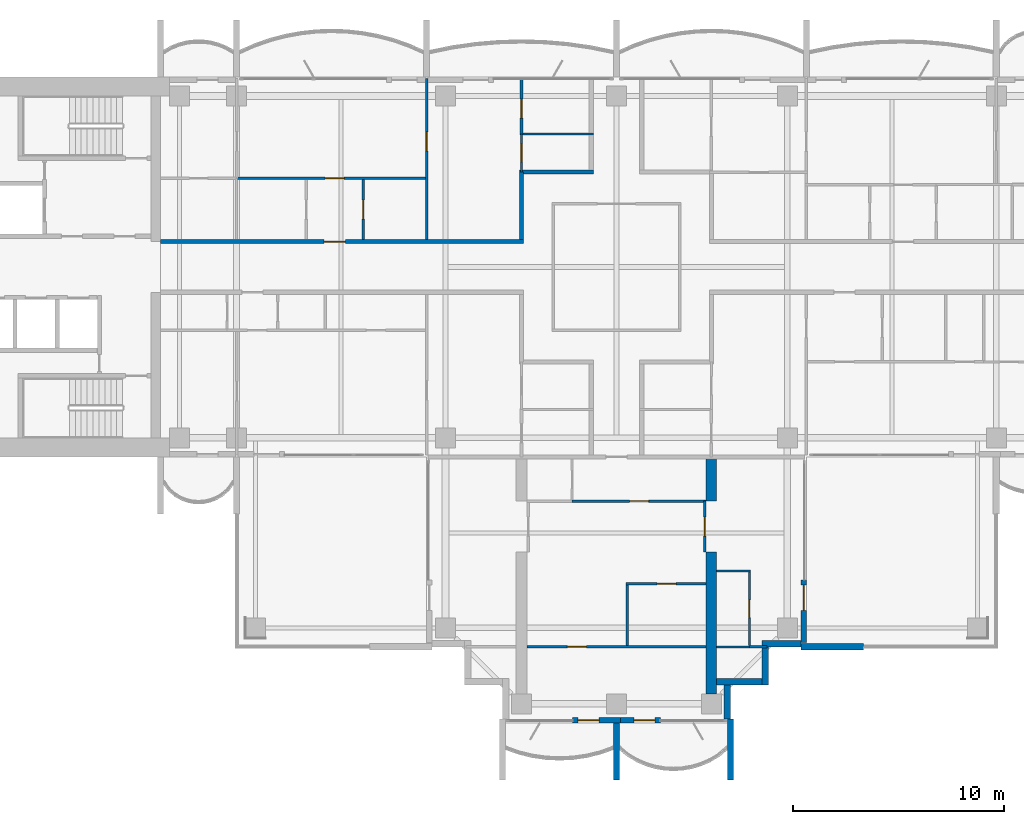
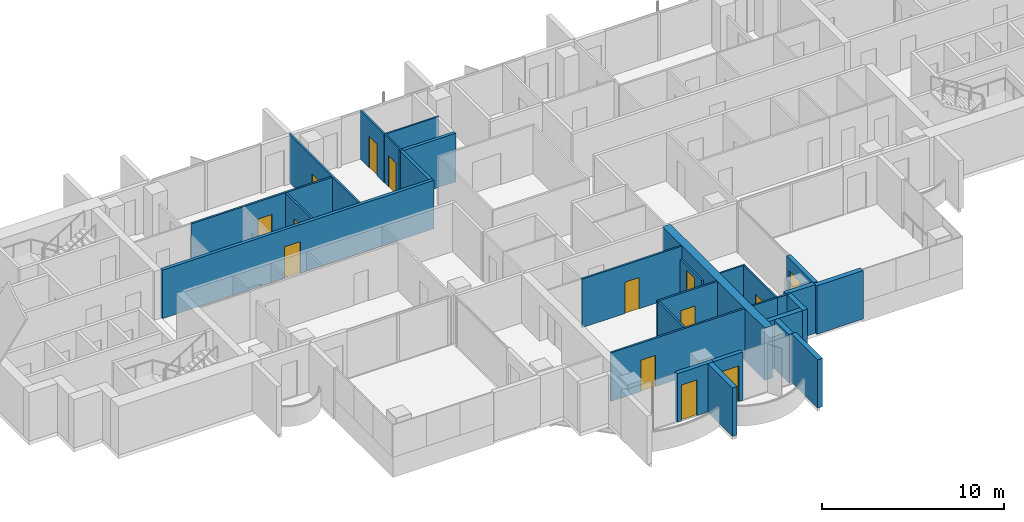
# One storey, part 10 of 17: 29 walls, 14 doors, 14 openings.
"""IFC4 building model written with IfcOpenShell, lengths in metres."""

from ifc_helpers import new_model, si_unit, direction, frame, frame_2d, origin, place, context, subcontext, project, spatial, polyline, rectangle, outline, extrude, material, layer, layer_set, material_profile, profile_set, type_object, element, fill, save


model = new_model("IFC4")

# Units and contexts
model_context = context("Model", 3, precision=1e-05, world=origin(), true_north=direction((0.0, 1.0)))
body_context = subcontext(model_context, "Body", "Model", "MODEL_VIEW")
ifc_project = project(units=[si_unit("LENGTHUNIT", "METRE"), si_unit("AREAUNIT", "SQUARE_METRE"), si_unit("VOLUMEUNIT", "CUBIC_METRE"), si_unit("PLANEANGLEUNIT", "RADIAN"), si_unit("MASSUNIT", "GRAM", prefix="KILO")], contexts=[model_context])

# Site, building, storey
site_placement = place(None, origin())
site = spatial("IfcSite", under=ifc_project, at=site_placement, CompositionType="ELEMENT")
building_placement = place(site_placement, origin())
building = spatial("IfcBuilding", under=site, at=building_placement, Name="Perihelion Cross Residences", CompositionType="ELEMENT")
storey_placement = place(building_placement, frame((0.0, 0.0, 180.60009765625)))
storey = spatial("IfcBuildingStorey", under=building, at=storey_placement, Name="L44", CompositionType="ELEMENT", Elevation=180.60009765625)

# Wall, opening, door
ifc_material_1 = material(Name="Plasterboard partition")
ifc_layer_1 = layer(ifc_material_1, 0.199951171875)
ifc_layer_set_1 = layer_set([ifc_layer_1], Name="Apartment separation wall 200")
wall_type_1 = type_object("IfcWallType", Name="Apartment separation wall 200", PredefinedType="PARTITIONING", material=ifc_layer_set_1)
wall_1_placement = place(storey_placement, frame((-21.60009765625, 1.199951171875, 0.0), z_axis=(0.0, 0.0, 1.0), x_axis=(1.0, 0.0, 0.0)))
wall_1 = element("IfcWall", 1, at=wall_1_placement, inside=storey, type_object=wall_type_1, Name="Partition L44 W013", PredefinedType="PARTITIONING", context=body_context, shape_type="SweptSolid", body=[
    extrude(rectangle(XDim=17.2001953125, YDim=0.199951171875, at=frame_2d((8.60009765625, 0.0))), origin(), (0.0, 0.0, 1.0), 3.25),
])
opening_1_placement = place(wall_1_placement, frame((7.75, 0.0, 0.0)))
opening_1 = element("IfcOpeningElement", 2, at=opening_1_placement, cuts=wall_1, Name="Opening L44.A42", PredefinedType="OPENING", context=body_context, shape_type="SweptSolid", body=[
    extrude(rectangle(XDim=1.0, YDim=2.10009765625, at=frame_2d((0.5, 1.050048828125))), frame((0.0, 0.10986328125, 0.0), z_axis=(0.0, -1.0, 0.0), x_axis=(1.0, 0.0, 0.0)), (0.0, 0.0, 1.0), 0.219970703125),
])
ifc_material_2 = material(Name="Timber door leaf", Category="wood")
door_type_1 = type_object("IfcDoorType", Name="Flat entrance door 1000 x 2100", OperationType="SINGLE_SWING_LEFT", PredefinedType="DOOR", material=ifc_material_2)
door_1_placement = place(opening_1_placement, origin())
door_1 = element("IfcDoor", 3, at=door_1_placement, inside=storey, type_object=door_type_1, Name="Door L44.A42", OperationType="SINGLE_SWING_RIGHT", OverallHeight=2.10009765625, OverallWidth=1.0, PredefinedType="DOOR", context=body_context, shape_type="SweptSolid", body=[
    extrude(rectangle(XDim=1.0, YDim=2.10009765625, at=frame_2d((0.5, 1.050048828125))), frame((0.0, 0.02490234375, 0.0), z_axis=(0.0, -1.0, 0.0), x_axis=(1.0, 0.0, 0.0)), (0.0, 0.0, 1.0), 0.050048828125),
])
fill(opening_1, door_1)

# Walls
wall_2_placement = place(storey_placement, frame((-4.5, 1.300048828125, 0.0), z_axis=(0.0, 0.0, 1.0), x_axis=(0.0, 1.0, 0.0)))
element("IfcWall", 4, at=wall_2_placement, inside=storey, type_object=wall_type_1, Name="Partition L44 W014", PredefinedType="PARTITIONING", context=body_context, shape_type="SweptSolid", body=[
    extrude(rectangle(XDim=3.199951171875, YDim=0.199951171875, at=frame_2d((1.60009765625, 0.0))), origin(), (0.0, 0.0, 1.0), 3.25),
])
wall_3_placement = place(storey_placement, frame((-4.60009765625, 4.5, 0.0), z_axis=(0.0, 0.0, 1.0), x_axis=(1.0, 0.0, 0.0)))
element("IfcWall", 5, at=wall_3_placement, inside=storey, type_object=wall_type_1, Name="Partition L44 W015", PredefinedType="PARTITIONING", context=body_context, shape_type="SweptSolid", body=[
    extrude(rectangle(XDim=3.5, YDim=0.199951171875, at=frame_2d((1.75, 0.0))), origin(), (0.0, 0.0, 1.0), 3.25),
])

# Wall, opening, door
ifc_material_3 = material(Name="Concrete C30/37, bronze-clad", Category="concrete")
ifc_layer_2 = layer(ifc_material_3, 0.25)
ifc_layer_set_2 = layer_set([ifc_layer_2], Name="Bronze-clad pier wall 250")
wall_type_2 = type_object("IfcWallType", Name="Bronze-clad pier wall 250", PredefinedType="SOLIDWALL", material=ifc_layer_set_2)
wall_4_placement = place(storey_placement, frame((-2.074951171875, -21.47509765625, 0.0), z_axis=(0.0, 0.0, 1.0), x_axis=(1.0, 0.0, 0.0)))
wall_4 = element("IfcWall", 6, at=wall_4_placement, inside=storey, type_object=wall_type_2, Name="Wall FW1 L44 south tip south bay 1 pier", PredefinedType="SOLIDWALL", context=body_context, shape_type="SweptSolid", body=[
    extrude(rectangle(XDim=2.27490234375, YDim=0.25, at=frame_2d((1.137451171875, 0.0))), origin(), (0.0, 0.0, 1.0), 3.25),
])
opening_2_placement = place(wall_4_placement, frame((0.25, 0.0, 0.0)))
opening_2 = element("IfcOpeningElement", 7, at=opening_2_placement, cuts=wall_4, Name="Opening L44.E10", PredefinedType="OPENING", context=body_context, shape_type="SweptSolid", body=[
    extrude(rectangle(XDim=1.0, YDim=2.39990234375, at=frame_2d((0.5, 1.199951171875))), frame((0.0, 0.135009765625, 0.0), z_axis=(0.0, -1.0, 0.0), x_axis=(1.0, 0.0, 0.0)), (0.0, 0.0, 1.0), 0.27001953125),
])
ifc_material_4 = material(Name="Bronze anodised aluminium, glazed", Category="aluminium")
door_type_2 = type_object("IfcDoorType", Name="Balcony door 1000 x 2400", OperationType="NOTDEFINED", PredefinedType="DOOR", material=ifc_material_4)
door_2_placement = place(opening_2_placement, origin())
door_2 = element("IfcDoor", 8, at=door_2_placement, inside=storey, type_object=door_type_2, Name="Door L44.E10 south tip south bay 1", OperationType="SINGLE_SWING_RIGHT", OverallHeight=2.39990234375, OverallWidth=1.0, PredefinedType="DOOR", context=body_context, shape_type="SweptSolid", body=[
    extrude(rectangle(XDim=1.0, YDim=2.39990234375, at=frame_2d((0.5, 1.199951171875))), frame((0.0, 0.02490234375, 0.0), z_axis=(0.0, -1.0, 0.0), x_axis=(1.0, 0.0, 0.0)), (0.0, 0.0, 1.0), 0.050048828125),
])
fill(opening_2, door_2)

wall_5_placement = place(storey_placement, frame((0.199951171875, -21.47509765625, 0.0), z_axis=(0.0, 0.0, 1.0), x_axis=(1.0, 0.0, 0.0)))
wall_5 = element("IfcWall", 9, at=wall_5_placement, inside=storey, type_object=wall_type_2, Name="Wall FW1 L44 south tip south bay 2 pier", PredefinedType="SOLIDWALL", context=body_context, shape_type="SweptSolid", body=[
    extrude(rectangle(XDim=1.875, YDim=0.25, at=frame_2d((0.9375, 0.0))), origin(), (0.0, 0.0, 1.0), 3.25),
])
opening_3_placement = place(wall_5_placement, frame((0.625, 0.0, 0.0)))
opening_3 = element("IfcOpeningElement", 10, at=opening_3_placement, cuts=wall_5, Name="Opening L44.E11", PredefinedType="OPENING", context=body_context, shape_type="SweptSolid", body=[
    extrude(rectangle(XDim=1.0, YDim=2.39990234375, at=frame_2d((0.5, 1.199951171875))), frame((0.0, 0.135009765625, 0.0), z_axis=(0.0, -1.0, 0.0), x_axis=(1.0, 0.0, 0.0)), (0.0, 0.0, 1.0), 0.27001953125),
])
door_3_placement = place(opening_3_placement, origin())
door_3 = element("IfcDoor", 11, at=door_3_placement, inside=storey, type_object=door_type_2, Name="Door L44.E11 south tip south bay 2", OperationType="SINGLE_SWING_LEFT", OverallHeight=2.39990234375, OverallWidth=1.0, PredefinedType="DOOR", context=body_context, shape_type="SweptSolid", body=[
    extrude(rectangle(XDim=1.0, YDim=2.39990234375, at=frame_2d((0.5, 1.199951171875))), frame((0.0, 0.02490234375, 0.0), z_axis=(0.0, -1.0, 0.0), x_axis=(1.0, 0.0, 0.0)), (0.0, 0.0, 1.0), 0.050048828125),
])
fill(opening_3, door_3)

wall_6_placement = place(storey_placement, frame((8.875, -17.800048828125, 0.0), z_axis=(0.0, 0.0, 1.0), x_axis=(0.0, 1.0, 0.0)))
wall_6 = element("IfcWall", 12, at=wall_6_placement, inside=storey, type_object=wall_type_2, Name="Wall FW1 L44 south side east bay 1 pier", PredefinedType="SOLIDWALL", context=body_context, shape_type="SweptSolid", body=[
    extrude(rectangle(XDim=2.97509765625, YDim=0.25, at=frame_2d((1.487548828125, 0.0))), origin(), (0.0, 0.0, 1.0), 3.25),
])
opening_4_placement = place(wall_6_placement, frame((1.52490234375, 0.0, 0.0)))
opening_4 = element("IfcOpeningElement", 13, at=opening_4_placement, cuts=wall_6, Name="Opening L44.E12", PredefinedType="OPENING", context=body_context, shape_type="SweptSolid", body=[
    extrude(rectangle(XDim=1.199951171875, YDim=2.39990234375, at=frame_2d((0.60009765625, 1.199951171875))), frame((0.0, 0.135009765625, 0.0), z_axis=(0.0, -1.0, 0.0), x_axis=(1.0, 0.0, 0.0)), (0.0, 0.0, 1.0), 0.27001953125),
])
ifc_material_5 = material(Name="Bronze anodised aluminium, glazed", Category="aluminium")
door_type_3 = type_object("IfcDoorType", Name="Balcony door 1200 x 2400", OperationType="NOTDEFINED", PredefinedType="DOOR", material=ifc_material_5)
door_4_placement = place(opening_4_placement, origin())
door_4 = element("IfcDoor", 14, at=door_4_placement, inside=storey, type_object=door_type_3, Name="Door L44.E12 south side east bay 1", OperationType="SINGLE_SWING_RIGHT", OverallHeight=2.39990234375, OverallWidth=1.199951171875, PredefinedType="DOOR", context=body_context, shape_type="SweptSolid", body=[
    extrude(rectangle(XDim=1.199951171875, YDim=2.39990234375, at=frame_2d((0.60009765625, 1.199951171875))), frame((0.0, 0.02490234375, 0.0), z_axis=(0.0, -1.0, 0.0), x_axis=(1.0, 0.0, 0.0)), (0.0, 0.0, 1.0), 0.050048828125),
])
fill(opening_4, door_4)

# Walls
ifc_material_6 = material(Name="Concrete C30/37, bronze-clad", Category="concrete")
ifc_layer_3 = layer(ifc_material_6, 0.300048828125)
ifc_layer_set_3 = layer_set([ifc_layer_3], Name="Bronze-clad serration wall 300")
wall_type_3 = type_object("IfcWallType", Name="Bronze-clad serration wall 300", PredefinedType="SOLIDWALL", material=ifc_layer_set_3)
wall_7_placement = place(storey_placement, frame((5.25, -21.419921875, 0.0), z_axis=(0.0, 0.0, 1.0), x_axis=(0.0, 1.0, 0.0)))
element("IfcWall", 15, at=wall_7_placement, inside=storey, type_object=wall_type_3, Name="Wall SR1 L44 south corner south-east 1", PredefinedType="SOLIDWALL", context=body_context, shape_type="SweptSolid", body=[
    extrude(rectangle(XDim=1.619873046875, YDim=0.300048828125, at=frame_2d((0.81005859375, 0.0))), origin(), (0.0, 0.0, 1.0), 3.25),
])
wall_8_placement = place(storey_placement, frame((4.75, -19.64990234375, 0.0), z_axis=(0.0, 0.0, 1.0), x_axis=(1.0, 0.0, 0.0)))
element("IfcWall", 16, at=wall_8_placement, inside=storey, type_object=wall_type_3, Name="Wall SR1 L44 south corner south-east 2", PredefinedType="SOLIDWALL", context=body_context, shape_type="SweptSolid", body=[
    extrude(rectangle(XDim=2.14990234375, YDim=0.300048828125, at=frame_2d((1.074951171875, 0.0))), origin(), (0.0, 0.0, 1.0), 3.25),
])
wall_9_placement = place(storey_placement, frame((7.050048828125, -19.800048828125, 0.0), z_axis=(0.0, 0.0, 1.0), x_axis=(0.0, 1.0, 0.0)))
element("IfcWall", 17, at=wall_9_placement, inside=storey, type_object=wall_type_3, Name="Wall SR1 L44 south corner south-east 3", PredefinedType="SOLIDWALL", context=body_context, shape_type="SweptSolid", body=[
    extrude(rectangle(XDim=1.800048828125, YDim=0.300048828125, at=frame_2d((0.89990234375, 0.0))), origin(), (0.0, 0.0, 1.0), 3.25),
])
wall_10_placement = place(storey_placement, frame((6.89990234375, -17.85009765625, 0.0), z_axis=(0.0, 0.0, 1.0), x_axis=(1.0, 0.0, 0.0)))
element("IfcWall", 18, at=wall_10_placement, inside=storey, type_object=wall_type_3, Name="Wall SR1 L44 south corner south-east 4", PredefinedType="SOLIDWALL", context=body_context, shape_type="SweptSolid", body=[
    extrude(rectangle(XDim=1.85009765625, YDim=0.300048828125, at=frame_2d((0.925048828125, 0.0))), origin(), (0.0, 0.0, 1.0), 3.25),
])

# Wall, opening, door
ifc_material_7 = material(Name="Plasterboard partition")
ifc_layer_4 = layer(ifc_material_7, 0.1201171875)
ifc_layer_set_4 = layer_set([ifc_layer_4], Name="Infill panel 120")
wall_type_4 = type_object("IfcWallType", Name="Infill panel 120", PredefinedType="PARTITIONING", material=ifc_layer_set_4)
wall_11_placement = place(storey_placement, frame((4.18994140625, -11.10009765625, 0.0), z_axis=(0.0, 0.0, 1.0), x_axis=(0.0, -1.0, 0.0)))
wall_11 = element("IfcWall", 19, at=wall_11_placement, inside=storey, type_object=wall_type_4, Name="Partition L44 WI01", PredefinedType="PARTITIONING", context=body_context, shape_type="SweptSolid", body=[
    extrude(rectangle(XDim=2.39990234375, YDim=0.1201171875, at=frame_2d((1.199951171875, 0.0))), origin(), (0.0, 0.0, 1.0), 2.39990234375),
])
opening_5_placement = place(wall_11_placement, frame((0.75, 0.0, 0.0)))
opening_5 = element("IfcOpeningElement", 20, at=opening_5_placement, cuts=wall_11, Name="Opening L44.A44", PredefinedType="OPENING", context=body_context, shape_type="SweptSolid", body=[
    extrude(rectangle(XDim=0.89990234375, YDim=2.10009765625, at=frame_2d((0.449951171875, 1.050048828125))), frame((0.0, 0.070068359375, 0.0), z_axis=(0.0, -1.0, 0.0), x_axis=(1.0, 0.0, 0.0)), (0.0, 0.0, 1.0), 0.14013671875),
])
ifc_material_8 = material(Name="Timber door leaf", Category="wood")
door_type_4 = type_object("IfcDoorType", Name="Interior room door 900 x 2100", OperationType="SINGLE_SWING_LEFT", PredefinedType="DOOR", material=ifc_material_8)
door_5_placement = place(opening_5_placement, origin())
door_5 = element("IfcDoor", 21, at=door_5_placement, inside=storey, type_object=door_type_4, Name="Door L44.A44", OperationType="SINGLE_SWING_LEFT", OverallHeight=2.10009765625, OverallWidth=0.89990234375, PredefinedType="DOOR", context=body_context, shape_type="SweptSolid", body=[
    extrude(rectangle(XDim=0.89990234375, YDim=2.10009765625, at=frame_2d((0.449951171875, 1.050048828125))), frame((0.0, 0.02490234375, 0.0), z_axis=(0.0, -1.0, 0.0), x_axis=(1.0, 0.0, 0.0)), (0.0, 0.0, 1.0), 0.050048828125),
])
fill(opening_5, door_5)

ifc_material_9 = material(Name="Plasterboard partition")
ifc_layer_5 = layer(ifc_material_9, 0.1201171875)
ifc_layer_set_5 = layer_set([ifc_layer_5], Name="Partition wall 120")
wall_type_5 = type_object("IfcWallType", Name="Partition wall 120", PredefinedType="PARTITIONING", material=ifc_layer_set_5)
wall_12_placement = place(storey_placement, frame((-12.0, 1.300048828125, 0.0), z_axis=(0.0, 0.0, 1.0), x_axis=(0.0, 1.0, 0.0)))
wall_12 = element("IfcWall", 22, at=wall_12_placement, inside=storey, type_object=wall_type_5, Name="Partition L44 W043", PredefinedType="PARTITIONING", context=body_context, shape_type="SweptSolid", body=[
    extrude(rectangle(XDim=2.83984375, YDim=0.1201171875, at=frame_2d((1.419921875, 0.0))), origin(), (0.0, 0.0, 1.0), 3.25),
])
opening_6_placement = place(wall_12_placement, frame((0.969970703125, 0.0, 0.0)))
opening_6 = element("IfcOpeningElement", 23, at=opening_6_placement, cuts=wall_12, Name="Opening L44.A20", PredefinedType="OPENING", context=body_context, shape_type="SweptSolid", body=[
    extrude(rectangle(XDim=0.89990234375, YDim=2.10009765625, at=frame_2d((0.449951171875, 1.050048828125))), frame((0.0, 0.070068359375, 0.0), z_axis=(0.0, -1.0, 0.0), x_axis=(1.0, 0.0, 0.0)), (0.0, 0.0, 1.0), 0.14013671875),
])
door_6_placement = place(opening_6_placement, origin())
door_6 = element("IfcDoor", 24, at=door_6_placement, inside=storey, type_object=door_type_4, Name="Door L44.A20", OperationType="SINGLE_SWING_LEFT", OverallHeight=2.10009765625, OverallWidth=0.89990234375, PredefinedType="DOOR", context=body_context, shape_type="SweptSolid", body=[
    extrude(rectangle(XDim=0.89990234375, YDim=2.10009765625, at=frame_2d((0.449951171875, 1.050048828125))), frame((0.0, 0.02490234375, 0.0), z_axis=(0.0, -1.0, 0.0), x_axis=(1.0, 0.0, 0.0)), (0.0, 0.0, 1.0), 0.050048828125),
])
fill(opening_6, door_6)

wall_13_placement = place(storey_placement, frame((-18.0, 4.199951171875, 0.0), z_axis=(0.0, 0.0, 1.0), x_axis=(1.0, 0.0, 0.0)))
wall_13 = element("IfcWall", 25, at=wall_13_placement, inside=storey, type_object=wall_type_5, Name="Partition L44 W044", PredefinedType="PARTITIONING", context=body_context, shape_type="SweptSolid", body=[
    extrude(rectangle(XDim=9.06005859375, YDim=0.1201171875, at=frame_2d((4.530029296875, 0.0))), origin(), (0.0, 0.0, 1.0), 3.25),
])
opening_7_placement = place(wall_13_placement, frame((4.199951171875, 0.0, 0.0)))
opening_7 = element("IfcOpeningElement", 26, at=opening_7_placement, cuts=wall_13, Name="Opening L44.A21", PredefinedType="OPENING", context=body_context, shape_type="SweptSolid", body=[
    extrude(rectangle(XDim=0.89990234375, YDim=2.10009765625, at=frame_2d((0.449951171875, 1.050048828125))), frame((0.0, 0.070068359375, 0.0), z_axis=(0.0, -1.0, 0.0), x_axis=(1.0, 0.0, 0.0)), (0.0, 0.0, 1.0), 0.14013671875),
])
door_7_placement = place(opening_7_placement, origin())
door_7 = element("IfcDoor", 27, at=door_7_placement, inside=storey, type_object=door_type_4, Name="Door L44.A21", OperationType="SINGLE_SWING_RIGHT", OverallHeight=2.10009765625, OverallWidth=0.89990234375, PredefinedType="DOOR", context=body_context, shape_type="SweptSolid", body=[
    extrude(rectangle(XDim=0.89990234375, YDim=2.10009765625, at=frame_2d((0.449951171875, 1.050048828125))), frame((0.0, 0.02490234375, 0.0), z_axis=(0.0, -1.0, 0.0), x_axis=(1.0, 0.0, 0.0)), (0.0, 0.0, 1.0), 0.050048828125),
])
fill(opening_7, door_7)

wall_14_placement = place(storey_placement, frame((-9.0, 8.919921875, 0.0), z_axis=(0.0, 0.0, 1.0), x_axis=(0.0, -1.0, 0.0)))
wall_14 = element("IfcWall", 28, at=wall_14_placement, inside=storey, type_object=wall_type_5, Name="Partition L44 W045", PredefinedType="PARTITIONING", context=body_context, shape_type="SweptSolid", body=[
    extrude(rectangle(XDim=7.619873046875, YDim=0.1201171875, at=frame_2d((3.81005859375, 0.0))), origin(), (0.0, 0.0, 1.0), 3.25),
])
opening_8_placement = place(wall_14_placement, frame((2.52001953125, 0.0, 0.0)))
opening_8 = element("IfcOpeningElement", 29, at=opening_8_placement, cuts=wall_14, Name="Opening L44.A22", PredefinedType="OPENING", context=body_context, shape_type="SweptSolid", body=[
    extrude(rectangle(XDim=0.89990234375, YDim=2.10009765625, at=frame_2d((0.449951171875, 1.050048828125))), frame((0.0, 0.070068359375, 0.0), z_axis=(0.0, -1.0, 0.0), x_axis=(1.0, 0.0, 0.0)), (0.0, 0.0, 1.0), 0.14013671875),
])
door_8_placement = place(opening_8_placement, origin())
door_8 = element("IfcDoor", 30, at=door_8_placement, inside=storey, type_object=door_type_4, Name="Door L44.A22", OperationType="SINGLE_SWING_RIGHT", OverallHeight=2.10009765625, OverallWidth=0.89990234375, PredefinedType="DOOR", context=body_context, shape_type="SweptSolid", body=[
    extrude(rectangle(XDim=0.89990234375, YDim=2.10009765625, at=frame_2d((0.449951171875, 1.050048828125))), frame((0.0, 0.02490234375, 0.0), z_axis=(0.0, -1.0, 0.0), x_axis=(1.0, 0.0, 0.0)), (0.0, 0.0, 1.0), 0.050048828125),
])
fill(opening_8, door_8)

wall_15_placement = place(storey_placement, frame((-4.5, 8.919921875, 0.0), z_axis=(0.0, 0.0, 1.0), x_axis=(0.0, -1.0, 0.0)))
wall_15 = element("IfcWall", 31, at=wall_15_placement, inside=storey, type_object=wall_type_5, Name="Partition L44 W051", PredefinedType="PARTITIONING", context=body_context, shape_type="SweptSolid", body=[
    extrude(rectangle(XDim=2.619873046875, YDim=0.1201171875, at=frame_2d((1.31005859375, 0.0))), origin(), (0.0, 0.0, 1.0), 3.25),
])
opening_9_placement = place(wall_15_placement, frame((0.969970703125, 0.0, 0.0)))
opening_9 = element("IfcOpeningElement", 32, at=opening_9_placement, cuts=wall_15, Name="Opening L44.A23", PredefinedType="OPENING", context=body_context, shape_type="SweptSolid", body=[
    extrude(rectangle(XDim=0.89990234375, YDim=2.10009765625, at=frame_2d((0.449951171875, 1.050048828125))), frame((0.0, 0.070068359375, 0.0), z_axis=(0.0, -1.0, 0.0), x_axis=(1.0, 0.0, 0.0)), (0.0, 0.0, 1.0), 0.14013671875),
])
door_9_placement = place(opening_9_placement, origin())
door_9 = element("IfcDoor", 33, at=door_9_placement, inside=storey, type_object=door_type_4, Name="Door L44.A23", OperationType="SINGLE_SWING_LEFT", OverallHeight=2.10009765625, OverallWidth=0.89990234375, PredefinedType="DOOR", context=body_context, shape_type="SweptSolid", body=[
    extrude(rectangle(XDim=0.89990234375, YDim=2.10009765625, at=frame_2d((0.449951171875, 1.050048828125))), frame((0.0, 0.02490234375, 0.0), z_axis=(0.0, -1.0, 0.0), x_axis=(1.0, 0.0, 0.0)), (0.0, 0.0, 1.0), 0.050048828125),
])
fill(opening_9, door_9)

wall_16_placement = place(storey_placement, frame((4.25, -11.10009765625, 0.0), z_axis=(0.0, 0.0, 1.0), x_axis=(-1.0, 0.0, 0.0)))
wall_16 = element("IfcWall", 34, at=wall_16_placement, inside=storey, type_object=wall_type_5, Name="Partition L44 W064", PredefinedType="PARTITIONING", context=body_context, shape_type="SweptSolid", body=[
    extrude(rectangle(XDim=6.35009765625, YDim=0.1201171875, at=frame_2d((3.175048828125, 0.0))), origin(), (0.0, 0.0, 1.0), 3.25),
])
opening_10_placement = place(wall_16_placement, frame((2.72509765625, 0.0, 0.0)))
opening_10 = element("IfcOpeningElement", 35, at=opening_10_placement, cuts=wall_16, Name="Opening L44.A36", PredefinedType="OPENING", context=body_context, shape_type="SweptSolid", body=[
    extrude(rectangle(XDim=0.89990234375, YDim=2.10009765625, at=frame_2d((0.449951171875, 1.050048828125))), frame((0.0, 0.070068359375, 0.0), z_axis=(0.0, -1.0, 0.0), x_axis=(1.0, 0.0, 0.0)), (0.0, 0.0, 1.0), 0.14013671875),
])
door_10_placement = place(opening_10_placement, origin())
door_10 = element("IfcDoor", 36, at=door_10_placement, inside=storey, type_object=door_type_4, Name="Door L44.A36", OperationType="SINGLE_SWING_LEFT", OverallHeight=2.10009765625, OverallWidth=0.89990234375, PredefinedType="DOOR", context=body_context, shape_type="SweptSolid", body=[
    extrude(rectangle(XDim=0.89990234375, YDim=2.10009765625, at=frame_2d((0.449951171875, 1.050048828125))), frame((0.0, 0.02490234375, 0.0), z_axis=(0.0, -1.0, 0.0), x_axis=(1.0, 0.0, 0.0)), (0.0, 0.0, 1.0), 0.050048828125),
])
fill(opening_10, door_10)

wall_17_placement = place(storey_placement, frame((4.25, -15.0, 0.0), z_axis=(0.0, 0.0, 1.0), x_axis=(-1.0, 0.0, 0.0)))
wall_17 = element("IfcWall", 37, at=wall_17_placement, inside=storey, type_object=wall_type_5, Name="Partition L44 W066", PredefinedType="PARTITIONING", context=body_context, shape_type="SweptSolid", body=[
    extrude(rectangle(XDim=3.81005859375, YDim=0.1201171875, at=frame_2d((1.905029296875, 0.0))), origin(), (0.0, 0.0, 1.0), 3.25),
])
opening_11_placement = place(wall_17_placement, frame((1.425048828125, 0.0, 0.0)))
opening_11 = element("IfcOpeningElement", 38, at=opening_11_placement, cuts=wall_17, Name="Opening L44.A37", PredefinedType="OPENING", context=body_context, shape_type="SweptSolid", body=[
    extrude(rectangle(XDim=0.89990234375, YDim=2.10009765625, at=frame_2d((0.449951171875, 1.050048828125))), frame((0.0, 0.070068359375, 0.0), z_axis=(0.0, -1.0, 0.0), x_axis=(1.0, 0.0, 0.0)), (0.0, 0.0, 1.0), 0.14013671875),
])
door_11_placement = place(opening_11_placement, origin())
door_11 = element("IfcDoor", 39, at=door_11_placement, inside=storey, type_object=door_type_4, Name="Door L44.A37", OperationType="SINGLE_SWING_RIGHT", OverallHeight=2.10009765625, OverallWidth=0.89990234375, PredefinedType="DOOR", context=body_context, shape_type="SweptSolid", body=[
    extrude(rectangle(XDim=0.89990234375, YDim=2.10009765625, at=frame_2d((0.449951171875, 1.050048828125))), frame((0.0, 0.02490234375, 0.0), z_axis=(0.0, -1.0, 0.0), x_axis=(1.0, 0.0, 0.0)), (0.0, 0.0, 1.0), 0.050048828125),
])
fill(opening_11, door_11)

# Wall
wall_18_placement = place(storey_placement, frame((0.5, -15.06005859375, 0.0), z_axis=(0.0, 0.0, 1.0), x_axis=(0.0, -1.0, 0.0)))
element("IfcWall", 40, at=wall_18_placement, inside=storey, type_object=wall_type_5, Name="Partition L44 W067", PredefinedType="PARTITIONING", context=body_context, shape_type="SweptSolid", body=[
    extrude(rectangle(XDim=2.8798828125, YDim=0.1201171875, at=frame_2d((1.43994140625, 0.0))), origin(), (0.0, 0.0, 1.0), 3.25),
])

# Wall, opening, door
wall_19_placement = place(storey_placement, frame((4.25, -18.0, 0.0), z_axis=(0.0, 0.0, 1.0), x_axis=(-1.0, 0.0, 0.0)))
wall_19 = element("IfcWall", 41, at=wall_19_placement, inside=storey, type_object=wall_type_5, Name="Partition L44 W068", PredefinedType="PARTITIONING", context=body_context, shape_type="SweptSolid", body=[
    extrude(rectangle(XDim=8.5, YDim=0.1201171875, at=frame_2d((4.25, 0.0))), origin(), (0.0, 0.0, 1.0), 3.25),
])
opening_12_placement = place(wall_19_placement, frame((5.675048828125, 0.0, 0.0)))
opening_12 = element("IfcOpeningElement", 42, at=opening_12_placement, cuts=wall_19, Name="Opening L44.A38", PredefinedType="OPENING", context=body_context, shape_type="SweptSolid", body=[
    extrude(rectangle(XDim=0.89990234375, YDim=2.10009765625, at=frame_2d((0.449951171875, 1.050048828125))), frame((0.0, 0.070068359375, 0.0), z_axis=(0.0, -1.0, 0.0), x_axis=(1.0, 0.0, 0.0)), (0.0, 0.0, 1.0), 0.14013671875),
])
door_12_placement = place(opening_12_placement, origin())
door_12 = element("IfcDoor", 43, at=door_12_placement, inside=storey, type_object=door_type_4, Name="Door L44.A38", OperationType="SINGLE_SWING_LEFT", OverallHeight=2.10009765625, OverallWidth=0.89990234375, PredefinedType="DOOR", context=body_context, shape_type="SweptSolid", body=[
    extrude(rectangle(XDim=0.89990234375, YDim=2.10009765625, at=frame_2d((0.449951171875, 1.050048828125))), frame((0.0, 0.02490234375, 0.0), z_axis=(0.0, -1.0, 0.0), x_axis=(1.0, 0.0, 0.0)), (0.0, 0.0, 1.0), 0.050048828125),
])
fill(opening_12, door_12)

# Walls
wall_20_placement = place(storey_placement, frame((7.1201171875, -18.0, 0.0), z_axis=(0.0, 0.0, 1.0), x_axis=(-1.0, 0.0, 0.0)))
element("IfcWall", 44, at=wall_20_placement, inside=storey, type_object=wall_type_5, Name="Partition L44 W071", PredefinedType="PARTITIONING", context=body_context, shape_type="SweptSolid", body=[
    extrude(rectangle(XDim=0.820068359375, YDim=0.1201171875, at=frame_2d((0.41015625, 0.0))), origin(), (0.0, 0.0, 1.0), 3.25),
])
ifc_material_10 = material(Name="Precast concrete C50/60", Category="concrete")
ifc_layer_6 = layer(ifc_material_10, 0.300048828125)
ifc_layer_set_6 = layer_set([ifc_layer_6], Name="Precast concrete C50/60 blade wall 300")
wall_type_6 = type_object("IfcWallType", Name="Precast concrete C50/60 blade wall 300", PredefinedType="SOLIDWALL", material=ifc_layer_set_6)
wall_21_placement = place(storey_placement, frame((0.0, -21.60009765625, 0.0), z_axis=(0.0, 0.0, 1.0), x_axis=(0.0, -1.0, 0.0)))
element("IfcWall", 45, at=wall_21_placement, inside=storey, type_object=wall_type_6, Name="Wall BL1 L44 no. 8", PredefinedType="SOLIDWALL", context=body_context, shape_type="SweptSolid", body=[
    extrude(rectangle(XDim=2.699951171875, YDim=0.300048828125, at=frame_2d((1.35009765625, 0.0))), origin(), (0.0, 0.0, 1.0), 3.25),
])
wall_22_placement = place(storey_placement, frame((5.39990234375, -21.419921875, 0.0), z_axis=(0.0, 0.0, 1.0), x_axis=(0.0, -1.0, 0.0)))
element("IfcWall", 46, at=wall_22_placement, inside=storey, type_object=wall_type_6, Name="Wall BL1 L44 no. 14", PredefinedType="SOLIDWALL", context=body_context, shape_type="SweptSolid", body=[
    extrude(rectangle(XDim=2.880126953125, YDim=0.300048828125, at=frame_2d((1.43994140625, 0.0))), origin(), (0.0, 0.0, 1.0), 3.25),
])
wall_23_placement = place(storey_placement, frame((8.75, -18.0, 0.0), z_axis=(0.0, 0.0, 1.0), x_axis=(1.0, 0.0, 0.0)))
element("IfcWall", 47, at=wall_23_placement, inside=storey, type_object=wall_type_6, Name="Wall BL1 L44 no. 15", PredefinedType="SOLIDWALL", context=body_context, shape_type="SweptSolid", body=[
    extrude(rectangle(XDim=2.949951171875, YDim=0.300048828125, at=frame_2d((1.47509765625, 0.0))), origin(), (0.0, 0.0, 1.0), 3.25),
])
ifc_material_11 = material(Name="Concrete C60/75", Category="concrete")
ifc_material_profile = material_profile(ifc_material_11, outline(polyline([(0.0, 0.0), (6.72509765625, 0.0), (6.72509765625, 2.64990234375), (9.125, 2.64990234375), (9.125, 0.0), (11.22509765625, 0.0), (11.22509765625, 3.5), (0.0, 3.5), (0.0, 0.0)])), Name="Tip spine wall")
ifc_profile_set = profile_set([ifc_material_profile], Name="Concrete C60/75")
wall_type_7 = type_object("IfcWallType", Name="Tip spine wall 500 with 1 door openings 11225 long 3500 high concrete C60/75", PredefinedType="SHEAR", material=ifc_profile_set)
wall_24_placement = place(storey_placement, frame((4.25, -20.22509765625, -0.25), z_axis=(1.0, 0.0, 0.0), x_axis=(0.0, 1.0, 0.0)))
element("IfcWall", 48, at=wall_24_placement, inside=storey, type_object=wall_type_7, Name="Shear wall SW41 L44 south east", PredefinedType="SHEAR", context=body_context, shape_type="SweptSolid", body=[
    extrude(outline(polyline([(0.0, 0.0), (6.72509765625, 0.0), (6.72509765625, 2.64990234375), (9.125, 2.64990234375), (9.125, 0.0), (11.22509765625, 0.0), (11.22509765625, 3.5), (0.0, 3.5), (0.0, 0.0)])), origin(), (0.0, 0.0, 1.0), 0.5),
])

# Wall, opening, door
ifc_material_12 = material(Name="Plasterboard partition")
ifc_layer_7 = layer(ifc_material_12, 0.10009765625)
ifc_layer_set_7 = layer_set([ifc_layer_7], Name="Wet room wall 100")
wall_type_8 = type_object("IfcWallType", Name="Wet room wall 100", PredefinedType="PARTITIONING", material=ifc_layer_set_7)
wall_25_placement = place(storey_placement, frame((-4.5, 6.300048828125, 0.0), z_axis=(0.0, 0.0, 1.0), x_axis=(0.0, -1.0, 0.0)))
wall_25 = element("IfcWall", 49, at=wall_25_placement, inside=storey, type_object=wall_type_8, Name="Partition L44 W050", PredefinedType="PARTITIONING", context=body_context, shape_type="SweptSolid", body=[
    extrude(rectangle(XDim=1.800048828125, YDim=0.10009765625, at=frame_2d((0.89990234375, 0.0))), origin(), (0.0, 0.0, 1.0), 3.25),
])
opening_13_placement = place(wall_25_placement, frame((0.47509765625, 0.0, 0.0)))
opening_13 = element("IfcOpeningElement", 50, at=opening_13_placement, cuts=wall_25, Name="Opening L44.A25", PredefinedType="OPENING", context=body_context, shape_type="SweptSolid", body=[
    extrude(rectangle(XDim=0.85009765625, YDim=2.10009765625, at=frame_2d((0.425048828125, 1.050048828125))), frame((0.0, 0.06005859375, 0.0), z_axis=(0.0, -1.0, 0.0), x_axis=(1.0, 0.0, 0.0)), (0.0, 0.0, 1.0), 0.1201171875),
])
ifc_material_13 = material(Name="Timber door leaf", Category="wood")
door_type_5 = type_object("IfcDoorType", Name="Interior bathroom door 850 x 2100", OperationType="SINGLE_SWING_LEFT", PredefinedType="DOOR", material=ifc_material_13)
door_13_placement = place(opening_13_placement, origin())
door_13 = element("IfcDoor", 51, at=door_13_placement, inside=storey, type_object=door_type_5, Name="Door L44.A25", OperationType="SINGLE_SWING_RIGHT", OverallHeight=2.10009765625, OverallWidth=0.85009765625, PredefinedType="DOOR", context=body_context, shape_type="SweptSolid", body=[
    extrude(rectangle(XDim=0.85009765625, YDim=2.10009765625, at=frame_2d((0.425048828125, 1.050048828125))), frame((0.0, 0.02490234375, 0.0), z_axis=(0.0, -1.0, 0.0), x_axis=(1.0, 0.0, 0.0)), (0.0, 0.0, 1.0), 0.050048828125),
])
fill(opening_13, door_13)

# Wall
wall_26_placement = place(storey_placement, frame((-4.56005859375, 6.300048828125, 0.0), z_axis=(0.0, 0.0, 1.0), x_axis=(1.0, 0.0, 0.0)))
element("IfcWall", 52, at=wall_26_placement, inside=storey, type_object=wall_type_8, Name="Partition L44 W052", PredefinedType="PARTITIONING", context=body_context, shape_type="SweptSolid", body=[
    extrude(rectangle(XDim=3.4599609375, YDim=0.10009765625, at=frame_2d((1.72998046875, 0.0))), origin(), (0.0, 0.0, 1.0), 3.25),
])

# Wall, opening, door
wall_27_placement = place(storey_placement, frame((6.300048828125, -17.93994140625, 0.0), z_axis=(0.0, 0.0, 1.0), x_axis=(0.0, 1.0, 0.0)))
wall_27 = element("IfcWall", 53, at=wall_27_placement, inside=storey, type_object=wall_type_8, Name="Partition L44 W069", PredefinedType="PARTITIONING", context=body_context, shape_type="SweptSolid", body=[
    extrude(rectangle(XDim=3.489990234375, YDim=0.10009765625, at=frame_2d((1.7451171875, 0.0))), origin(), (0.0, 0.0, 1.0), 3.25),
])
opening_14_placement = place(wall_27_placement, frame((1.320068359375, 0.0, 0.0)))
opening_14 = element("IfcOpeningElement", 54, at=opening_14_placement, cuts=wall_27, Name="Opening L44.A39", PredefinedType="OPENING", context=body_context, shape_type="SweptSolid", body=[
    extrude(rectangle(XDim=0.85009765625, YDim=2.10009765625, at=frame_2d((0.425048828125, 1.050048828125))), frame((0.0, 0.06005859375, 0.0), z_axis=(0.0, -1.0, 0.0), x_axis=(1.0, 0.0, 0.0)), (0.0, 0.0, 1.0), 0.1201171875),
])
door_14_placement = place(opening_14_placement, origin())
door_14 = element("IfcDoor", 55, at=door_14_placement, inside=storey, type_object=door_type_5, Name="Door L44.A39", OperationType="SINGLE_SWING_RIGHT", OverallHeight=2.10009765625, OverallWidth=0.85009765625, PredefinedType="DOOR", context=body_context, shape_type="SweptSolid", body=[
    extrude(rectangle(XDim=0.85009765625, YDim=2.10009765625, at=frame_2d((0.425048828125, 1.050048828125))), frame((0.0, 0.02490234375, 0.0), z_axis=(0.0, -1.0, 0.0), x_axis=(1.0, 0.0, 0.0)), (0.0, 0.0, 1.0), 0.050048828125),
])
fill(opening_14, door_14)

# Walls
wall_28_placement = place(storey_placement, frame((6.35009765625, -14.39990234375, 0.0), z_axis=(0.0, 0.0, 1.0), x_axis=(-1.0, 0.0, 0.0)))
element("IfcWall", 56, at=wall_28_placement, inside=storey, type_object=wall_type_8, Name="Partition L44 W070", PredefinedType="PARTITIONING", context=body_context, shape_type="SweptSolid", body=[
    extrude(rectangle(XDim=1.60009765625, YDim=0.10009765625, at=frame_2d((0.800048828125, 0.0))), origin(), (0.0, 0.0, 1.0), 3.25),
])
wall_29_placement = place(storey_placement, frame((6.300048828125, -18.0, 0.0), z_axis=(0.0, 0.0, 1.0), x_axis=(-1.0, 0.0, 0.0)))
element("IfcWall", 57, at=wall_29_placement, inside=storey, type_object=wall_type_8, Name="Partition L44 W072", PredefinedType="PARTITIONING", context=body_context, shape_type="SweptSolid", body=[
    extrude(rectangle(XDim=1.550048828125, YDim=0.10009765625, at=frame_2d((0.77490234375, 0.0))), origin(), (0.0, 0.0, 1.0), 3.25),
])

save(model, "model.ifc")
